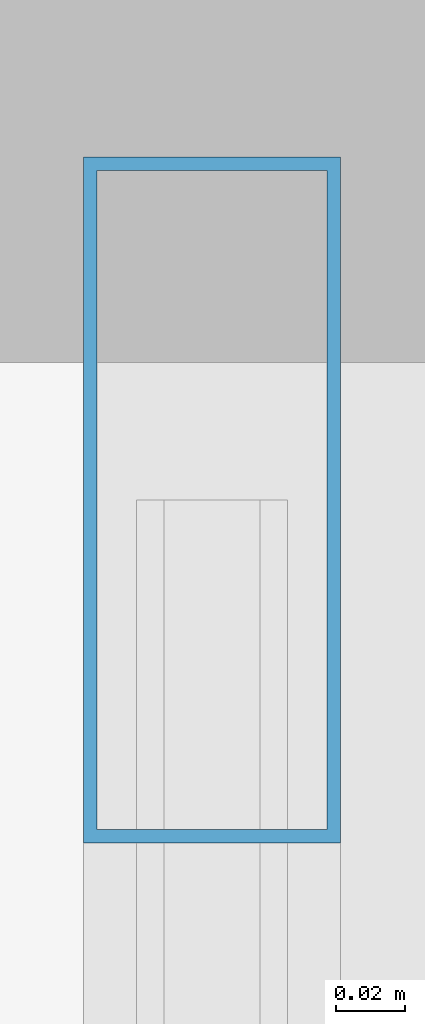
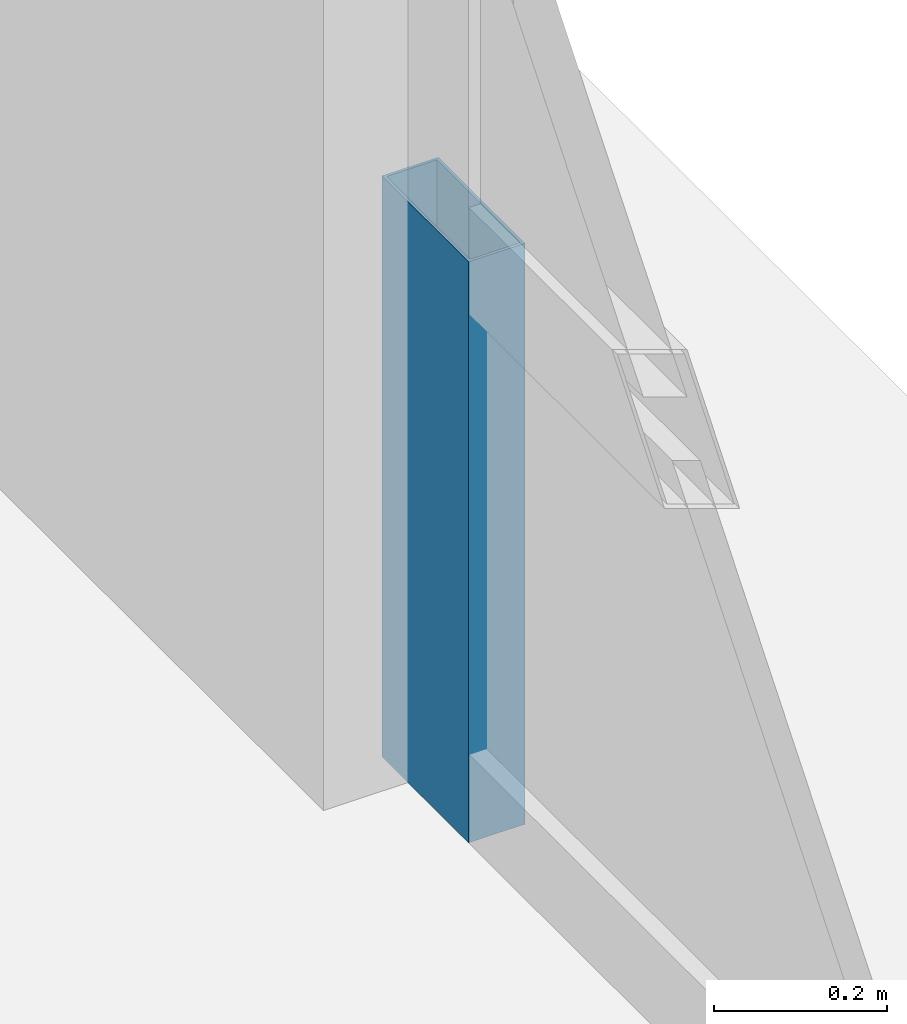
# One storey, part 28 of 35: 1 member, 1 element without a shape of its own.
"""IFC4 building model written with IfcOpenShell, lengths in metres."""

from ifc_helpers import new_model, si_unit, direction, frame, origin, origin_2d, place, context, subcontext, project, spatial, hollow_rectangle, extrude, source, transform, mapped, material, layer, layer_set, material_profile, profile_set, type_object, element, aggregate, save


model = new_model("IFC4")

# Units and contexts
model_context = context("Model", 3, precision=1e-05, world=origin(), true_north=direction((0.0, 1.0)))
body_context = subcontext(model_context, "Body", "Model", "MODEL_VIEW")
ifc_project = project(units=[si_unit("LENGTHUNIT", "METRE"), si_unit("AREAUNIT", "SQUARE_METRE"), si_unit("VOLUMEUNIT", "CUBIC_METRE"), si_unit("PLANEANGLEUNIT", "RADIAN"), si_unit("MASSUNIT", "GRAM", prefix="KILO"), si_unit("THERMODYNAMICTEMPERATUREUNIT", "KELVIN"), si_unit("POWERUNIT", "WATT")], contexts=[model_context])

# Site, building, storey
site_placement = place(None, origin())
site = spatial("IfcSite", under=ifc_project, at=site_placement, CompositionType="ELEMENT")
building_placement = place(site_placement, origin())
building = spatial("IfcBuilding", under=site, at=building_placement, Name="Yuzanri Waterfront Tower", CompositionType="ELEMENT")
storey_placement = place(building_placement, frame((0.0, 0.0, 343.199951171875)))
storey = spatial("IfcBuildingStorey", under=building, at=storey_placement, Name="L92", CompositionType="ELEMENT", Elevation=343.199951171875)

# Curtain wall, member
ifc_material_1 = material(Name="Anodized Architectural Bronze", Category="metal")
ifc_layer = layer(ifc_material_1, 0.159912109375)
ifc_layer_set = layer_set([ifc_layer], Name="Anodized Architectural Bronze")
curtain_wall_type = type_object("IfcCurtainWallType", Name="Anodized Bronze High-Rise Penthouse High-Wind Unitized Curtain Wall 6900", PredefinedType="NOTDEFINED", material=ifc_layer_set)
curtain_wall_placement = place(storey_placement, origin())
curtain_wall = element("IfcCurtainWall", 1, at=curtain_wall_placement, inside=storey, type_object=curtain_wall_type, Name="L92 Curtain Wall CW-L92-ER", PredefinedType="NOTDEFINED")
ifc_material_2 = material(Name="Anodized Architectural Bronze", Category="metal")
ifc_material_profile = material_profile(ifc_material_2, hollow_rectangle(XDim=0.074951171875, YDim=0.199951171875, WallThickness=0.00390625, at=origin_2d()), Name="CWM 75x200")
ifc_profile_set = profile_set([ifc_material_profile], Name="Anodized Architectural Bronze")
member_type = type_object("IfcMemberType", Name="Anodized Bronze Primary Curtain-Wall Mullion 75x200", PredefinedType="MULLION", material=ifc_profile_set)
shared_shape = source(origin(), body_context, "Body", "SweptSolid", [
    extrude(hollow_rectangle(XDim=0.074951171875, YDim=0.199951171875, WallThickness=0.00390625, at=origin_2d()), origin(), (0.0, 0.0, 1.0), 0.818115234375),
])
member_placement = place(storey_placement, frame((55.949951171875, 37.510009765625, 0.0), z_axis=(0.0, 0.0, 1.0), x_axis=(1.0, 0.0, 0.0)))
member = element("IfcMember", 2, at=member_placement, type_object=member_type, Name="CW-L92-ER Lower Mullion 02", PredefinedType="MULLION", context=body_context, shape_type="MappedRepresentation", body=[
    mapped(shared_shape, transform((0.0, 0.0, 0.0), scale=1.0)),
])
aggregate(curtain_wall, [member])

save(model, "model.ifc")
